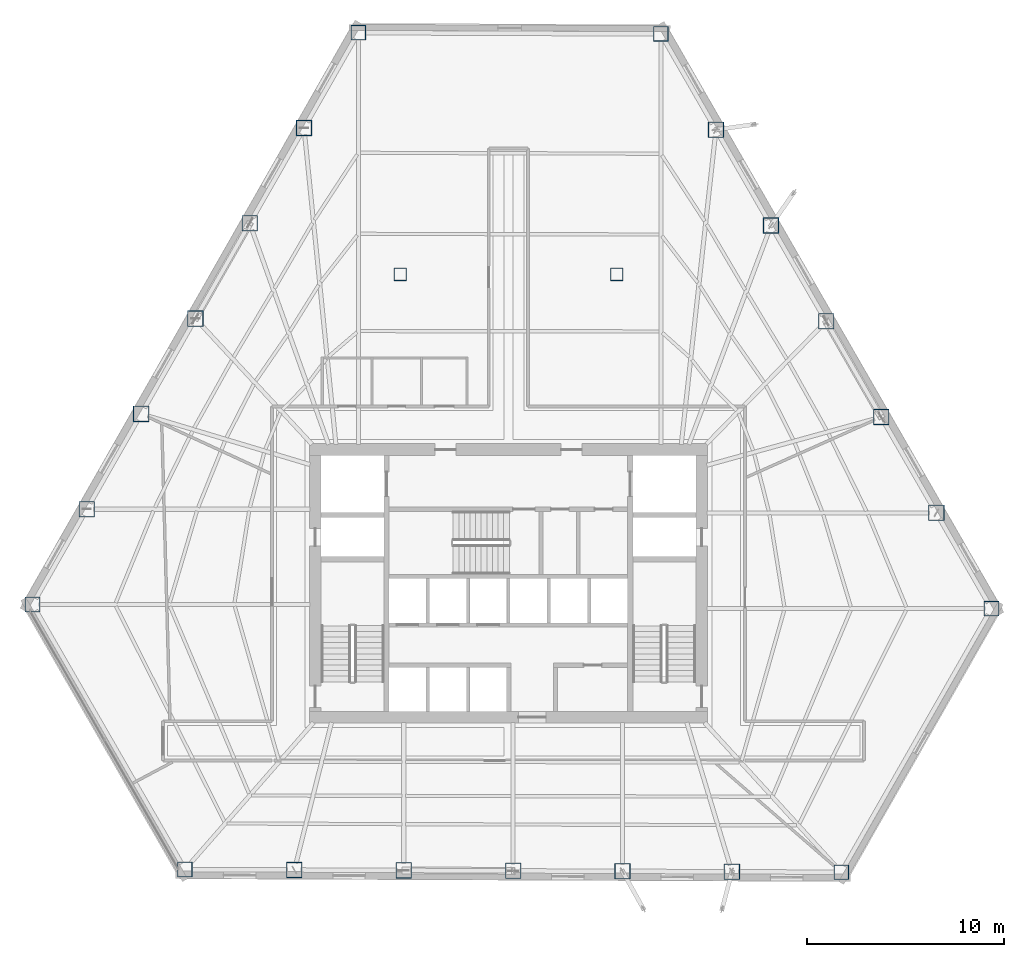
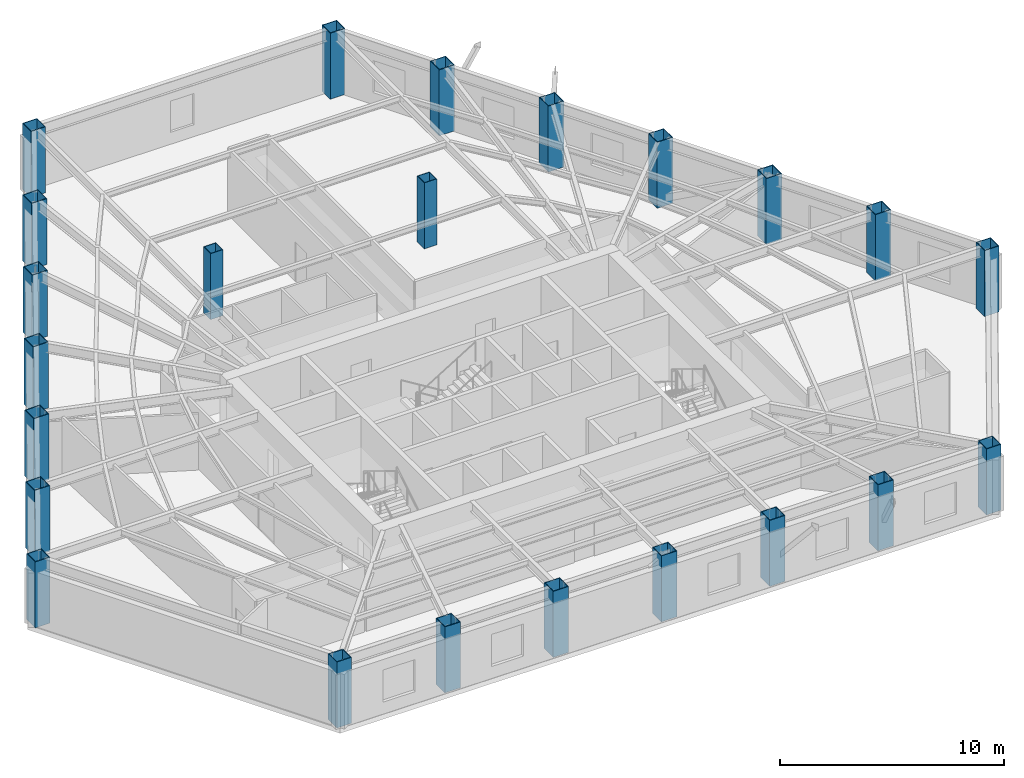
# One storey, part 1 of 13: 23 columns.
"""IFC4 building model written with IfcOpenShell, lengths in metres."""

from ifc_helpers import new_model, si_unit, direction, frame, origin, origin_2d, place, context, subcontext, project, spatial, hollow_rectangle, extrude, material, material_profile, profile_set, type_object, element, save


model = new_model("IFC4")

# Units and contexts
model_context = context("Model", 3, precision=1e-05, world=origin(), true_north=direction((0.0, 1.0)))
body_context = subcontext(model_context, "Body", "Model", "MODEL_VIEW")
ifc_project = project(units=[si_unit("LENGTHUNIT", "METRE"), si_unit("AREAUNIT", "SQUARE_METRE"), si_unit("VOLUMEUNIT", "CUBIC_METRE"), si_unit("PLANEANGLEUNIT", "RADIAN"), si_unit("MASSUNIT", "GRAM", prefix="KILO")], contexts=[model_context])

# Site, building, storey
site_placement = place(None, origin())
site = spatial("IfcSite", under=ifc_project, at=site_placement, CompositionType="ELEMENT")
building_placement = place(site_placement, origin())
building = spatial("IfcBuilding", under=site, at=building_placement, Name="Kavelnor Concourse Tower", CompositionType="ELEMENT")
storey_placement = place(building_placement, frame((0.0, 0.0, 36.800048828125)))
storey = spatial("IfcBuildingStorey", under=building, at=storey_placement, Name="L09", CompositionType="ELEMENT", Elevation=36.800048828125)

# Columns
ifc_material = material(Name="Steel Grade 350", Category="steel")
ifc_material_profile_1 = material_profile(ifc_material, hollow_rectangle(XDim=0.760009765625, YDim=0.760009765625, WallThickness=0.034912109375, at=origin_2d()), Name="SHS 760x760x35")
ifc_profile_set_1 = profile_set([ifc_material_profile_1], Name="Steel Grade 350")
column_type_1 = type_object("IfcColumnType", Name="COL-FOLD-Z1", PredefinedType="COLUMN", material=ifc_profile_set_1)
for number, where, z_axis, x_axis, name in (
    (1, (30.370849609375, 44.0869140625, 0.0), (0.0, 0.0, 1.0), (1.0, 0.0, 0.0), "L09 Perimeter Corner-Fold Column F0-B0"),
    (2, (13.81298828125, 15.029052734375, 0.0), (0.0, 0.0, 1.0), (1.0, 0.0, 0.0), "L09 Perimeter Corner-Fold Column F0-B6"),
    (3, (21.560302734375, 1.5634765625, 0.0), (0.0, 0.0, 1.0), (1.0, 0.0, 0.0), "L09 Perimeter Corner-Fold Column F1-B0"),
    (4, (54.913330078125, 1.4248046875, 0.0), (0.0, 0.0, 1.0), (1.0, 0.0, 0.0), "L09 Perimeter Corner-Fold Column F1-B6"),
    (5, (62.5458984375, 14.819580078125, 0.0), (0.0, 0.0, 1.0), (1.0, 0.0, 0.0), "L09 Perimeter Corner-Fold Column F2-B0"),
    (6, (45.743896484375, 44.023193359375, 0.0), (0.0, 0.0, 1.0), (1.0, 0.0, 0.0), "L09 Perimeter Corner-Fold Column F2-B6"),
):
    element("IfcColumn", number, at=place(storey_placement, frame(where, z_axis=z_axis, x_axis=x_axis)), inside=storey, type_object=column_type_1, Name=name, PredefinedType="COLUMN", context=body_context, shape_type="SweptSolid", body=[
        extrude(hollow_rectangle(XDim=0.760009765625, YDim=0.760009765625, WallThickness=0.034912109375, at=origin_2d()), origin(), (0.0, 0.0, 1.0), 3.58984375),
    ])
ifc_material_profile_2 = material_profile(ifc_material, hollow_rectangle(XDim=0.800048828125, YDim=0.800048828125, WallThickness=0.035888671875, at=origin_2d()), Name="SHS 800x800x36")
ifc_profile_set_2 = profile_set([ifc_material_profile_2], Name="Steel Grade 350")
column_type_2 = type_object("IfcColumnType", Name="COL-TUBE-Z1", PredefinedType="COLUMN", material=ifc_profile_set_2)
for number, where, z_axis, x_axis, name in (
    (7, (27.611083984375, 39.243896484375, 0.0), (0.0, 0.0, 1.0), (1.0, 0.0, 0.0), "L09 Perimeter Framed-Tube Column F0-B1"),
    (8, (24.8515625, 34.40087890625, 0.0), (0.0, 0.0, 1.0), (1.0, 0.0, 0.0), "L09 Perimeter Framed-Tube Column F0-B2"),
    (9, (22.092041015625, 29.557861328125, 0.0), (0.0, 0.0, 1.0), (1.0, 0.0, 0.0), "L09 Perimeter Framed-Tube Column F0-B3"),
    (10, (19.332275390625, 24.715087890625, 0.0), (0.0, 0.0, 1.0), (1.0, 0.0, 0.0), "L09 Perimeter Framed-Tube Column F0-B4"),
    (11, (16.57275390625, 19.8720703125, 0.0), (0.0, 0.0, 1.0), (1.0, 0.0, 0.0), "L09 Perimeter Framed-Tube Column F0-B5"),
    (12, (27.119140625, 1.540283203125, 0.0), (0.0, 0.0, 1.0), (1.0, 0.0, 0.0), "L09 Perimeter Framed-Tube Column F1-B1"),
    (13, (32.677978515625, 1.517333984375, 0.0), (0.0, 0.0, 1.0), (1.0, 0.0, 0.0), "L09 Perimeter Framed-Tube Column F1-B2"),
    (14, (38.23681640625, 1.494140625, 0.0), (0.0, 0.0, 1.0), (1.0, 0.0, 0.0), "L09 Perimeter Framed-Tube Column F1-B3"),
    (15, (43.795654296875, 1.47119140625, 0.0), (0.0, 0.0, 1.0), (1.0, 0.0, 0.0), "L09 Perimeter Framed-Tube Column F1-B4"),
    (16, (49.3544921875, 1.447998046875, 0.0), (0.0, 0.0, 1.0), (1.0, 0.0, 0.0), "L09 Perimeter Framed-Tube Column F1-B5"),
    (17, (59.74560546875, 19.686767578125, 0.0), (0.0, 0.0, 1.0), (1.0, 0.0, 0.0), "L09 Perimeter Framed-Tube Column F2-B1"),
    (18, (56.9453125, 24.553955078125, 0.0), (0.0, 0.0, 1.0), (1.0, 0.0, 0.0), "L09 Perimeter Framed-Tube Column F2-B2"),
    (19, (54.14501953125, 29.42138671875, 0.0), (0.0, 0.0, 1.0), (1.0, 0.0, 0.0), "L09 Perimeter Framed-Tube Column F2-B3"),
    (20, (51.344482421875, 34.28857421875, 0.0), (0.0, 0.0, 1.0), (1.0, 0.0, 0.0), "L09 Perimeter Framed-Tube Column F2-B4"),
    (21, (48.544189453125, 39.15576171875, 0.0), (0.0, 0.0, 1.0), (1.0, 0.0, 0.0), "L09 Perimeter Framed-Tube Column F2-B5"),
):
    element("IfcColumn", number, at=place(storey_placement, frame(where, z_axis=z_axis, x_axis=x_axis)), inside=storey, type_object=column_type_2, Name=name, PredefinedType="COLUMN", context=body_context, shape_type="SweptSolid", body=[
        extrude(hollow_rectangle(XDim=0.800048828125, YDim=0.800048828125, WallThickness=0.035888671875, at=origin_2d()), origin(), (0.0, 0.0, 1.0), 3.58984375),
    ])
ifc_material_profile_3 = material_profile(ifc_material, hollow_rectangle(XDim=0.639892578125, YDim=0.639892578125, WallThickness=0.028076171875, at=origin_2d()), Name="SHS 640x640x28")
ifc_profile_set_3 = profile_set([ifc_material_profile_3], Name="Steel Grade 350")
column_type_3 = type_object("IfcColumnType", Name="COL-TUBE-Z3", PredefinedType="COLUMN", material=ifc_profile_set_3)
for number, where, z_axis, x_axis, name in (
    (22, (32.5, 31.800048828125, 0.0), (0.0, 0.0, 1.0), (1.0, 0.0, 0.0), "L09 North Interior Gravity Column BC-NW"),
    (23, (43.5, 31.800048828125, 0.0), (0.0, 0.0, 1.0), (1.0, 0.0, 0.0), "L09 North Interior Gravity Column BC-NE"),
):
    element("IfcColumn", number, at=place(storey_placement, frame(where, z_axis=z_axis, x_axis=x_axis)), inside=storey, type_object=column_type_3, Name=name, PredefinedType="COLUMN", context=body_context, shape_type="SweptSolid", body=[
        extrude(hollow_rectangle(XDim=0.639892578125, YDim=0.639892578125, WallThickness=0.028076171875, at=origin_2d()), origin(), (0.0, 0.0, 1.0), 3.58984375),
    ])

save(model, "model.ifc")
